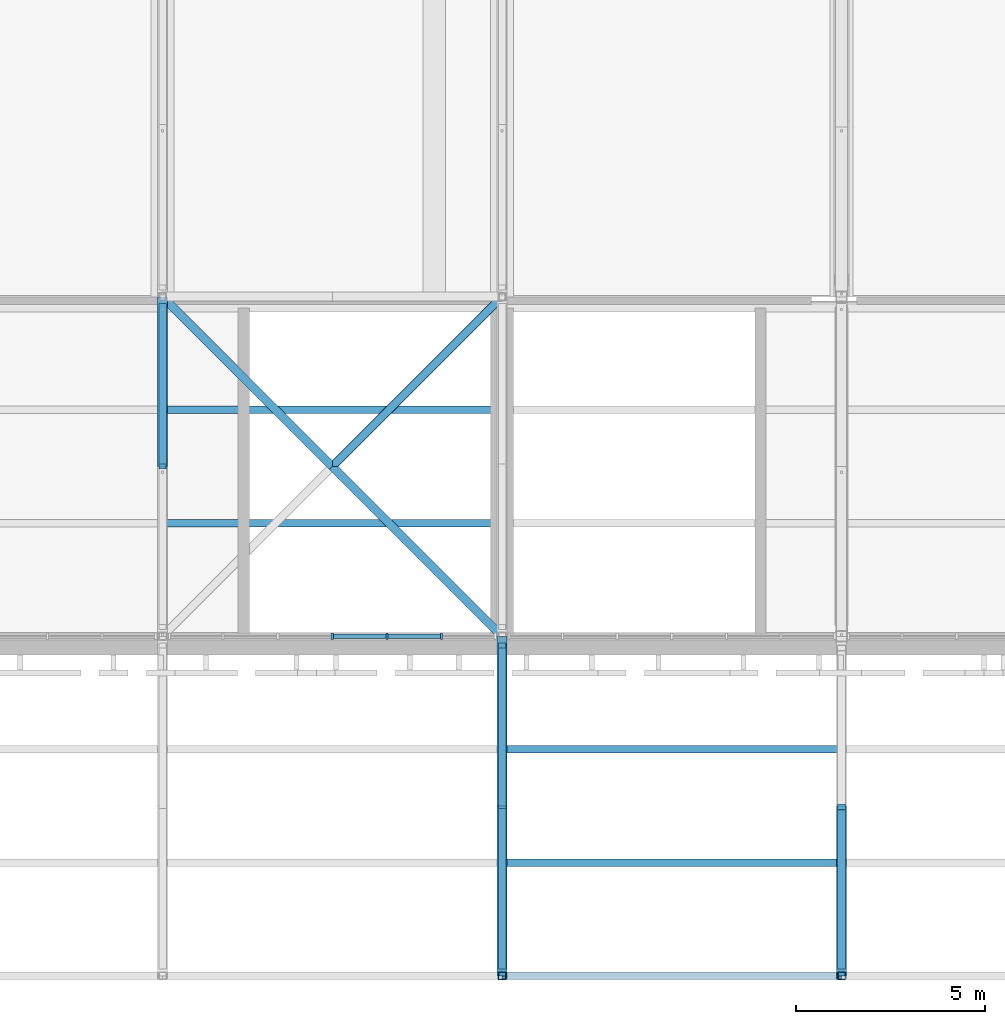
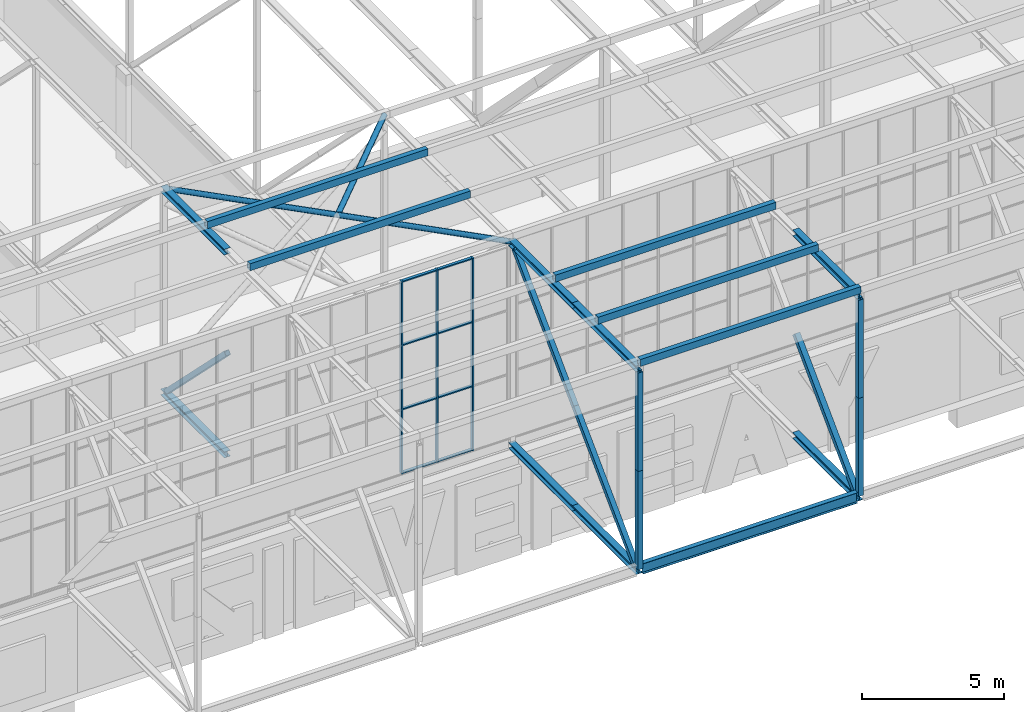
# One storey, part 17 of 646: 35 members, 1 beam, 1 element without a shape of its own.
"""IFC4 building model written with IfcOpenShell, lengths in metres."""

from ifc_helpers import new_model, si_unit, direction, frame, origin, origin_2d, place, context, subcontext, project, spatial, rectangle, hollow_rectangle, hollow_circle, i_section, extrude, material, material_profile, profile_set, type_object, element, aggregate, save


model = new_model("IFC4")

# Units and contexts
model_context = context("Model", 3, precision=1e-05, world=origin(), true_north=direction((0.0, 1.0)))
body_context = subcontext(model_context, "Body", "Model", "MODEL_VIEW")
ifc_project = project(units=[si_unit("LENGTHUNIT", "METRE"), si_unit("AREAUNIT", "SQUARE_METRE"), si_unit("VOLUMEUNIT", "CUBIC_METRE"), si_unit("PLANEANGLEUNIT", "RADIAN"), si_unit("MASSUNIT", "GRAM", prefix="KILO")], contexts=[model_context])

# Site, building, storey
site_placement = place(None, origin())
site = spatial("IfcSite", under=ifc_project, at=site_placement, CompositionType="ELEMENT")
building_placement = place(site_placement, origin())
building = spatial("IfcBuilding", under=site, at=building_placement, Name="Silverbay Arena", CompositionType="ELEMENT")
storey_placement = place(building_placement, frame((0.0, 0.0, 33.5)))
storey = spatial("IfcBuildingStorey", under=building, at=storey_placement, Name="L05", CompositionType="ELEMENT", Elevation=33.5)

# Members
ifc_material_1 = material(Name="Steel S355", Category="steel")
ifc_material_profile_1 = material_profile(ifc_material_1, i_section(OverallWidth=0.2587890625, OverallDepth=0.2666015625, WebThickness=0.0126953125, FlangeThickness=0.0205078125, at=origin_2d()), Name="UC 254x254x107")
ifc_profile_set_1 = profile_set([ifc_material_profile_1], Name="Steel S355")
member_type_1 = type_object("IfcMemberType", Name="Main-span bottom chord UC 254x254x107", PredefinedType="CHORD", material=ifc_profile_set_1)
member_1_placement = place(storey_placement, frame((108.0, 9.0, 4.13330078125), z_axis=(0.0, 1.0, 0.0), x_axis=(-1.0, 0.0, 0.0)))
element("IfcMember", 1, at=member_1_placement, inside=storey, type_object=member_type_1, Name="ROOF TRUSS 13 bottom chord 01a", PredefinedType="CHORD", context=body_context, shape_type="SweptSolid", body=[
    extrude(i_section(OverallWidth=0.2587890625, OverallDepth=0.2666015625, WebThickness=0.0126953125, FlangeThickness=0.0205078125, at=origin_2d()), origin(), (0.0, 0.0, 1.0), 4.5),
])
ifc_material_2 = material(Name="Steel S355", Category="steel")
ifc_material_profile_2 = material_profile(ifc_material_2, i_section(OverallWidth=0.2587890625, OverallDepth=0.2666015625, WebThickness=0.0126953125, FlangeThickness=0.0205078125, at=origin_2d()), Name="UC 254x254x107")
ifc_profile_set_2 = profile_set([ifc_material_profile_2], Name="Steel S355")
member_type_2 = type_object("IfcMemberType", Name="Main-span top chord UC 254x254x107", PredefinedType="CHORD", material=ifc_profile_set_2)
member_2_placement = place(storey_placement, frame((108.0, 9.0, 12.86669921875), z_axis=(0.0, 1.0, 0.0), x_axis=(-1.0, 0.0, 0.0)))
element("IfcMember", 2, at=member_2_placement, inside=storey, type_object=member_type_2, Name="ROOF TRUSS 13 top chord 01a", PredefinedType="CHORD", context=body_context, shape_type="SweptSolid", body=[
    extrude(i_section(OverallWidth=0.2587890625, OverallDepth=0.2666015625, WebThickness=0.0126953125, FlangeThickness=0.0205078125, at=origin_2d()), origin(), (0.0, 0.0, 1.0), 4.5),
])
ifc_material_3 = material(Name="Steel S355", Category="steel")
ifc_material_profile_3 = material_profile(ifc_material_3, hollow_rectangle(XDim=0.219970703125, YDim=0.219970703125, WallThickness=0.008056640625, at=origin_2d()), Name="SHS 220x220x8")
ifc_profile_set_3 = profile_set([ifc_material_profile_3], Name="Steel S355")
member_type_3 = type_object("IfcMemberType", Name="Main-span truss diagonal SHS 220x220x8", PredefinedType="BRACE", material=ifc_profile_set_3)
member_3_placement = place(storey_placement, frame((108.0, 13.47509765625, 8.5), z_axis=(0.0, -0.705531551692, -0.708678509317), x_axis=(1.0, 0.0, 0.0)))
element("IfcMember", 3, at=member_3_placement, inside=storey, type_object=member_type_3, Name="ROOF TRUSS 13 diagonal 01b", PredefinedType="BRACE", context=body_context, shape_type="SweptSolid", body=[
    extrude(hollow_rectangle(XDim=0.219970703125, YDim=0.219970703125, WallThickness=0.008056640625, at=origin_2d()), origin(), (0.0, 0.0, 1.0), 5.9736328125),
])
ifc_material_4 = material(Name="Steel S355", Category="steel")
ifc_material_profile_4 = material_profile(ifc_material_4, hollow_rectangle(XDim=0.199951171875, YDim=0.199951171875, WallThickness=0.008056640625, at=origin_2d()), Name="SHS 200x200x8")
ifc_profile_set_4 = profile_set([ifc_material_profile_4], Name="Steel S355")
member_type_4 = type_object("IfcMemberType", Name="Main-span truss vertical SHS 200x200x8", PredefinedType="STRUT", material=ifc_profile_set_4)
for number, where, z_axis, x_axis, name in (
    (4, (108.0, 9.0, 4.2666015625), (0.0, 0.0, 1.0), (1.0, 0.0, 0.0), "ROOF TRUSS 13 vertical 01a"),
    (5, (108.0, 9.0, 8.5), (0.0, 0.0, 1.0), (1.0, 0.0, 0.0), "ROOF TRUSS 13 vertical 01b"),
):
    element("IfcMember", number, at=place(storey_placement, frame(where, z_axis=z_axis, x_axis=x_axis)), inside=storey, type_object=member_type_4, Name=name, PredefinedType="STRUT", context=body_context, shape_type="SweptSolid", body=[
        extrude(hollow_rectangle(XDim=0.199951171875, YDim=0.199951171875, WallThickness=0.008056640625, at=origin_2d()), origin(), (0.0, 0.0, 1.0), 4.2333984375),
    ])
ifc_material_5 = material(Name="Steel S355", Category="steel")
ifc_material_profile_5 = material_profile(ifc_material_5, i_section(OverallWidth=0.254638671875, OverallDepth=0.254150390625, WebThickness=0.008544921875, FlangeThickness=0.01416015625, at=origin_2d()), Name="UC 254x254x73")
ifc_profile_set_5 = profile_set([ifc_material_profile_5], Name="Steel S355")
member_type_5 = type_object("IfcMemberType", Name="Medium-span bottom chord UC 254x254x73", PredefinedType="CHORD", material=ifc_profile_set_5)
for number, where, z_axis, x_axis, name in (
    (6, (90.0, 22.5, 4.126953125), (0.0, 1.0, 0.0), (-1.0, 0.0, 0.0), "ROOF TRUSS 11 bottom chord 02b"),
    (7, (99.0, 9.0, 4.126953125), (0.0, 1.0, 0.0), (-1.0, 0.0, 0.0), "ROOF TRUSS 12 bottom chord 01a"),
    (8, (99.0, 13.5, 4.126953125), (0.0, 1.0, 0.0), (-1.0, 0.0, 0.0), "ROOF TRUSS 12 bottom chord 01b"),
):
    element("IfcMember", number, at=place(storey_placement, frame(where, z_axis=z_axis, x_axis=x_axis)), inside=storey, type_object=member_type_5, Name=name, PredefinedType="CHORD", context=body_context, shape_type="SweptSolid", body=[
        extrude(i_section(OverallWidth=0.254638671875, OverallDepth=0.254150390625, WebThickness=0.008544921875, FlangeThickness=0.01416015625, at=origin_2d()), origin(), (0.0, 0.0, 1.0), 4.5),
    ])
ifc_material_6 = material(Name="Steel S355", Category="steel")
ifc_material_profile_6 = material_profile(ifc_material_6, i_section(OverallWidth=0.254638671875, OverallDepth=0.254150390625, WebThickness=0.008544921875, FlangeThickness=0.01416015625, at=origin_2d()), Name="UC 254x254x73")
ifc_profile_set_6 = profile_set([ifc_material_profile_6], Name="Steel S355")
member_type_6 = type_object("IfcMemberType", Name="Medium-span top chord UC 254x254x73", PredefinedType="CHORD", material=ifc_profile_set_6)
for number, where, z_axis, x_axis, name in (
    (9, (90.0, 22.5, 12.873046875), (0.0, 1.0, 0.0), (-1.0, 0.0, 0.0), "ROOF TRUSS 11 top chord 02b"),
    (10, (99.0, 9.0, 12.873046875), (0.0, 1.0, 0.0), (-1.0, 0.0, 0.0), "ROOF TRUSS 12 top chord 01a"),
    (11, (99.0, 13.5, 12.873046875), (0.0, 1.0, 0.0), (-1.0, 0.0, 0.0), "ROOF TRUSS 12 top chord 01b"),
):
    element("IfcMember", number, at=place(storey_placement, frame(where, z_axis=z_axis, x_axis=x_axis)), inside=storey, type_object=member_type_6, Name=name, PredefinedType="CHORD", context=body_context, shape_type="SweptSolid", body=[
        extrude(i_section(OverallWidth=0.254638671875, OverallDepth=0.254150390625, WebThickness=0.008544921875, FlangeThickness=0.01416015625, at=origin_2d()), origin(), (0.0, 0.0, 1.0), 4.5),
    ])
ifc_material_7 = material(Name="Steel S355", Category="steel")
ifc_material_profile_7 = material_profile(ifc_material_7, hollow_rectangle(XDim=0.199951171875, YDim=0.199951171875, WallThickness=0.008056640625, at=origin_2d()), Name="SHS 200x200x8")
ifc_profile_set_7 = profile_set([ifc_material_profile_7], Name="Steel S355")
member_type_7 = type_object("IfcMemberType", Name="Medium-span truss diagonal SHS 200x200x8", PredefinedType="BRACE", material=ifc_profile_set_7)
for number, where, z_axis, x_axis, name in (
    (12, (90.0, 22.5, 8.5), (0.0, 0.70781724692, -0.706395600894), (-1.0, 0.0, 0.0), "ROOF TRUSS 11 diagonal 02b"),
    (13, (99.0, 17.75439453125, 12.745849609375), (0.0, -0.70781724692, -0.706395600894), (1.0, 0.0, 0.0), "ROOF TRUSS 12 diagonal 01a"),
    (14, (99.0, 13.5, 8.5), (0.0, -0.70781724692, -0.706395600894), (1.0, 0.0, 0.0), "ROOF TRUSS 12 diagonal 01b"),
):
    element("IfcMember", number, at=place(storey_placement, frame(where, z_axis=z_axis, x_axis=x_axis)), inside=storey, type_object=member_type_7, Name=name, PredefinedType="BRACE", context=body_context, shape_type="SweptSolid", body=[
        extrude(hollow_rectangle(XDim=0.199951171875, YDim=0.199951171875, WallThickness=0.008056640625, at=origin_2d()), origin(), (0.0, 0.0, 1.0), 6.010498046875),
    ])
ifc_material_8 = material(Name="Steel S355", Category="steel")
ifc_material_profile_8 = material_profile(ifc_material_8, hollow_rectangle(XDim=0.199951171875, YDim=0.199951171875, WallThickness=0.008056640625, at=origin_2d()), Name="SHS 200x200x8")
ifc_profile_set_8 = profile_set([ifc_material_profile_8], Name="Steel S355")
member_type_8 = type_object("IfcMemberType", Name="Medium-span truss vertical SHS 200x200x8", PredefinedType="STRUT", material=ifc_profile_set_8)
for number, where, z_axis, x_axis, name in (
    (15, (99.0, 9.0, 4.254150390625), (0.0, 0.0, 1.0), (1.0, 0.0, 0.0), "ROOF TRUSS 12 vertical 01a"),
    (16, (99.0, 9.0, 8.5), (0.0, 0.0, 1.0), (1.0, 0.0, 0.0), "ROOF TRUSS 12 vertical 01b"),
):
    element("IfcMember", number, at=place(storey_placement, frame(where, z_axis=z_axis, x_axis=x_axis)), inside=storey, type_object=member_type_8, Name=name, PredefinedType="STRUT", context=body_context, shape_type="SweptSolid", body=[
        extrude(hollow_rectangle(XDim=0.199951171875, YDim=0.199951171875, WallThickness=0.008056640625, at=origin_2d()), origin(), (0.0, 0.0, 1.0), 4.245849609375),
    ])

# Curtain wall, members
ifc_material_9 = material(Name="Aluminium framed glazing", Category="aluminium")
curtain_wall_type = type_object("IfcCurtainWallType", Name="Curtain wall clerestory 8693 x 8303", PredefinedType="NOTDEFINED", material=ifc_material_9)
curtain_wall_placement = place(storey_placement, origin())
curtain_wall = element("IfcCurtainWall", 17, at=curtain_wall_placement, inside=storey, type_object=curtain_wall_type, Name="ROOF CLERESTORY CURTAIN WALL south bay 05", PredefinedType="NOTDEFINED")
ifc_material_10 = material(Name="Aluminium", Category="aluminium")
ifc_material_profile_9 = material_profile(ifc_material_10, rectangle(XDim=0.159912109375, YDim=0.06005859375, at=origin_2d()), Name="Mullion 60 x 160")
ifc_profile_set_9 = profile_set([ifc_material_profile_9], Name="Aluminium")
member_type_9 = type_object("IfcMemberType", Name="Mullion 60 x 160", PredefinedType="MULLION", material=ifc_profile_set_9)
member_4_placement = place(storey_placement, frame((94.5, 18.0, 4.4599609375), z_axis=(0.0, 0.0, 1.0), x_axis=(0.0, 1.0, 0.0)))
member_4 = element("IfcMember", 18, at=member_4_placement, type_object=member_type_9, Name="CW54 mullion 4", PredefinedType="MULLION", context=body_context, shape_type="SweptSolid", body=[
    extrude(rectangle(XDim=0.159912109375, YDim=0.06005859375, at=origin_2d()), origin(), (0.0, 0.0, 1.0), 8.303466796875),
])
member_5_placement = place(storey_placement, frame((95.94873046875, 18.0, 4.4599609375), z_axis=(0.0, 0.0, 1.0), x_axis=(0.0, 1.0, 0.0)))
member_5 = element("IfcMember", 19, at=member_5_placement, type_object=member_type_9, Name="CW54 mullion 5", PredefinedType="MULLION", context=body_context, shape_type="SweptSolid", body=[
    extrude(rectangle(XDim=0.159912109375, YDim=0.06005859375, at=origin_2d()), origin(), (0.0, 0.0, 1.0), 8.303466796875),
])
member_6_placement = place(storey_placement, frame((97.3974609375, 18.0, 4.4599609375), z_axis=(0.0, 0.0, 1.0), x_axis=(0.0, 1.0, 0.0)))
member_6 = element("IfcMember", 20, at=member_6_placement, type_object=member_type_9, Name="CW54 mullion 6", PredefinedType="MULLION", context=body_context, shape_type="SweptSolid", body=[
    extrude(rectangle(XDim=0.159912109375, YDim=0.06005859375, at=origin_2d()), origin(), (0.0, 0.0, 1.0), 8.303466796875),
])

# Members
ifc_material_11 = material(Name="Steel S355", Category="steel")
ifc_material_profile_10 = material_profile(ifc_material_11, hollow_circle(Radius=0.109619140625, WallThickness=0.00634765625, at=origin_2d()), Name="CHS 219.1x6.3")
ifc_profile_set_10 = profile_set([ifc_material_profile_10], Name="Steel S355")
member_type_10 = type_object("IfcMemberType", Name="Plan bracing CHS 219.1x6.3", PredefinedType="BRACE", material=ifc_profile_set_10)
for number, where, z_axis, x_axis, name in (
    (21, (94.5, 22.5, 12.873046875), (0.707106781187, 0.707106781187, 0.0), (-0.707106781187, 0.707106781187, 0.0), "ROOF BRACING top 11-12 panel 02 Ab"),
    (22, (90.0, 27.0, 12.873046875), (0.707106781187, -0.707106781187, 0.0), (0.707106781187, 0.707106781187, 0.0), "ROOF BRACING top 11-12 panel 02 Ba"),
    (23, (94.5, 22.5, 12.873046875), (0.707106781187, -0.707106781187, 0.0), (0.707106781187, 0.707106781187, 0.0), "ROOF BRACING top 11-12 panel 02 Bb"),
):
    element("IfcMember", number, at=place(storey_placement, frame(where, z_axis=z_axis, x_axis=x_axis)), inside=storey, type_object=member_type_10, Name=name, PredefinedType="BRACE", context=body_context, shape_type="SweptSolid", body=[
        extrude(hollow_circle(Radius=0.109619140625, WallThickness=0.00634765625, at=origin_2d()), origin(), (0.0, 0.0, 1.0), 6.364013671875),
    ])
ifc_material_12 = material(Name="Steel S355", Category="steel")
ifc_material_profile_11 = material_profile(ifc_material_12, hollow_rectangle(XDim=0.199951171875, YDim=0.300048828125, WallThickness=0.00634765625, at=origin_2d()), Name="RHS 300x200x6.3")
ifc_profile_set_11 = profile_set([ifc_material_profile_11], Name="Steel S355")
member_type_11 = type_object("IfcMemberType", Name="Purlin RHS 300x200x6.3", PredefinedType="PURLIN", material=ifc_profile_set_11)
member_7_placement = place(storey_placement, frame((90.0, 24.0, 13.14990234375), z_axis=(1.0, 0.0, 0.0), x_axis=(0.0, 1.0, 0.0)))
element("IfcMember", 24, at=member_7_placement, inside=storey, type_object=member_type_11, Name="ROOF PURLIN 11-12 line 06", PredefinedType="PURLIN", context=body_context, shape_type="SweptSolid", body=[
    extrude(hollow_rectangle(XDim=0.199951171875, YDim=0.300048828125, WallThickness=0.00634765625, at=origin_2d()), origin(), (0.0, 0.0, 1.0), 9.0),
])
ifc_material_13 = material(Name="Steel S355", Category="steel")
ifc_material_profile_12 = material_profile(ifc_material_13, hollow_rectangle(XDim=0.199951171875, YDim=0.300048828125, WallThickness=0.008056640625, at=origin_2d()), Name="RHS 300x200x8")
ifc_profile_set_12 = profile_set([ifc_material_profile_12], Name="Steel S355")
member_type_12 = type_object("IfcMemberType", Name="Purlin RHS 300x200x8", PredefinedType="PURLIN", material=ifc_profile_set_12)
for number, where, z_axis, x_axis, name in (
    (25, (90.0, 21.0, 13.14990234375), (1.0, 0.0, 0.0), (0.0, 1.0, 0.0), "ROOF PURLIN 11-12 line 05"),
    (26, (99.0, 9.0, 13.14990234375), (1.0, 0.0, 0.0), (0.0, 1.0, 0.0), "ROOF PURLIN 12-13 line 01"),
    (27, (99.0, 12.0, 13.14990234375), (1.0, 0.0, 0.0), (0.0, 1.0, 0.0), "ROOF PURLIN 12-13 line 02"),
    (28, (99.0, 15.0, 13.14990234375), (1.0, 0.0, 0.0), (0.0, 1.0, 0.0), "ROOF PURLIN 12-13 line 03"),
):
    element("IfcMember", number, at=place(storey_placement, frame(where, z_axis=z_axis, x_axis=x_axis)), inside=storey, type_object=member_type_12, Name=name, PredefinedType="PURLIN", context=body_context, shape_type="SweptSolid", body=[
        extrude(hollow_rectangle(XDim=0.199951171875, YDim=0.300048828125, WallThickness=0.008056640625, at=origin_2d()), origin(), (0.0, 0.0, 1.0), 9.0),
    ])

# Beam
ifc_material_14 = material(Name="Steel S355", Category="steel")
ifc_material_profile_13 = material_profile(ifc_material_14, i_section(OverallWidth=0.18994140625, OverallDepth=0.453369140625, WebThickness=0.008544921875, FlangeThickness=0.0126953125, at=origin_2d()), Name="UB 457x191x67")
ifc_profile_set_13 = profile_set([ifc_material_profile_13], Name="Steel S355")
beam_type = type_object("IfcBeamType", Name="Ring beam UB 457x191x67", PredefinedType="BEAM", material=ifc_profile_set_13)
beam_placement = place(storey_placement, frame((99.127197265625, 9.0, 4.226806640625), z_axis=(1.0, 0.0, 0.0), x_axis=(0.0, 1.0, 0.0)))
element("IfcBeam", 29, at=beam_placement, inside=storey, type_object=beam_type, Name="RING BEAM south edge 12-13", PredefinedType="BEAM", context=body_context, shape_type="SweptSolid", body=[
    extrude(i_section(OverallWidth=0.18994140625, OverallDepth=0.453369140625, WebThickness=0.008544921875, FlangeThickness=0.0126953125, at=origin_2d()), origin(), (0.0, 0.0, 1.0), 8.743408203125),
])

# Member
ifc_material_15 = material(Name="Aluminium", Category="aluminium")
ifc_material_profile_14 = material_profile(ifc_material_15, rectangle(XDim=0.1201171875, YDim=0.050048828125, at=origin_2d()), Name="Transom 50 x 120")
ifc_profile_set_14 = profile_set([ifc_material_profile_14], Name="Aluminium")
member_type_13 = type_object("IfcMemberType", Name="Transom 50 x 120", PredefinedType="USERDEFINED", material=ifc_profile_set_14)
member_8_placement = place(storey_placement, frame((94.530029296875, 18.0, 4.485107421875), z_axis=(1.0, 0.0, 0.0), x_axis=(0.0, 1.0, 0.0)))
member_8 = element("IfcMember", 30, at=member_8_placement, type_object=member_type_13, Name="CW54 transom 4.1", ObjectType="TRANSOM", PredefinedType="USERDEFINED", context=body_context, shape_type="SweptSolid", body=[
    extrude(rectangle(XDim=0.1201171875, YDim=0.050048828125, at=origin_2d()), origin(), (0.0, 0.0, 1.0), 1.388671875),
])

member_9_placement = place(storey_placement, frame((94.530029296875, 18.0, 7.227783203125), z_axis=(1.0, 0.0, 0.0), x_axis=(0.0, 1.0, 0.0)))
member_9 = element("IfcMember", 31, at=member_9_placement, type_object=member_type_13, Name="CW54 transom 4.2", ObjectType="TRANSOM", PredefinedType="USERDEFINED", context=body_context, shape_type="SweptSolid", body=[
    extrude(rectangle(XDim=0.1201171875, YDim=0.050048828125, at=origin_2d()), origin(), (0.0, 0.0, 1.0), 1.388671875),
])

member_10_placement = place(storey_placement, frame((94.530029296875, 18.0, 9.99560546875), z_axis=(1.0, 0.0, 0.0), x_axis=(0.0, 1.0, 0.0)))
member_10 = element("IfcMember", 32, at=member_10_placement, type_object=member_type_13, Name="CW54 transom 4.3", ObjectType="TRANSOM", PredefinedType="USERDEFINED", context=body_context, shape_type="SweptSolid", body=[
    extrude(rectangle(XDim=0.1201171875, YDim=0.050048828125, at=origin_2d()), origin(), (0.0, 0.0, 1.0), 1.388671875),
])

member_11_placement = place(storey_placement, frame((94.530029296875, 18.0, 12.73828125), z_axis=(1.0, 0.0, 0.0), x_axis=(0.0, 1.0, 0.0)))
member_11 = element("IfcMember", 33, at=member_11_placement, type_object=member_type_13, Name="CW54 transom 4.4", ObjectType="TRANSOM", PredefinedType="USERDEFINED", context=body_context, shape_type="SweptSolid", body=[
    extrude(rectangle(XDim=0.1201171875, YDim=0.050048828125, at=origin_2d()), origin(), (0.0, 0.0, 1.0), 1.388671875),
])

member_12_placement = place(storey_placement, frame((95.978759765625, 18.0, 4.485107421875), z_axis=(1.0, 0.0, 0.0), x_axis=(0.0, 1.0, 0.0)))
member_12 = element("IfcMember", 34, at=member_12_placement, type_object=member_type_13, Name="CW54 transom 5.1", ObjectType="TRANSOM", PredefinedType="USERDEFINED", context=body_context, shape_type="SweptSolid", body=[
    extrude(rectangle(XDim=0.1201171875, YDim=0.050048828125, at=origin_2d()), origin(), (0.0, 0.0, 1.0), 1.388671875),
])

member_13_placement = place(storey_placement, frame((95.978759765625, 18.0, 7.227783203125), z_axis=(1.0, 0.0, 0.0), x_axis=(0.0, 1.0, 0.0)))
member_13 = element("IfcMember", 35, at=member_13_placement, type_object=member_type_13, Name="CW54 transom 5.2", ObjectType="TRANSOM", PredefinedType="USERDEFINED", context=body_context, shape_type="SweptSolid", body=[
    extrude(rectangle(XDim=0.1201171875, YDim=0.050048828125, at=origin_2d()), origin(), (0.0, 0.0, 1.0), 1.388671875),
])

member_14_placement = place(storey_placement, frame((95.978759765625, 18.0, 9.99560546875), z_axis=(1.0, 0.0, 0.0), x_axis=(0.0, 1.0, 0.0)))
member_14 = element("IfcMember", 36, at=member_14_placement, type_object=member_type_13, Name="CW54 transom 5.3", ObjectType="TRANSOM", PredefinedType="USERDEFINED", context=body_context, shape_type="SweptSolid", body=[
    extrude(rectangle(XDim=0.1201171875, YDim=0.050048828125, at=origin_2d()), origin(), (0.0, 0.0, 1.0), 1.388671875),
])

member_15_placement = place(storey_placement, frame((95.978759765625, 18.0, 12.73828125), z_axis=(1.0, 0.0, 0.0), x_axis=(0.0, 1.0, 0.0)))
member_15 = element("IfcMember", 37, at=member_15_placement, type_object=member_type_13, Name="CW54 transom 5.4", ObjectType="TRANSOM", PredefinedType="USERDEFINED", context=body_context, shape_type="SweptSolid", body=[
    extrude(rectangle(XDim=0.1201171875, YDim=0.050048828125, at=origin_2d()), origin(), (0.0, 0.0, 1.0), 1.388671875),
])

aggregate(curtain_wall, [member_4, member_5, member_6, member_8, member_9, member_10, member_11, member_12, member_13, member_14, member_15])

save(model, "model.ifc")
